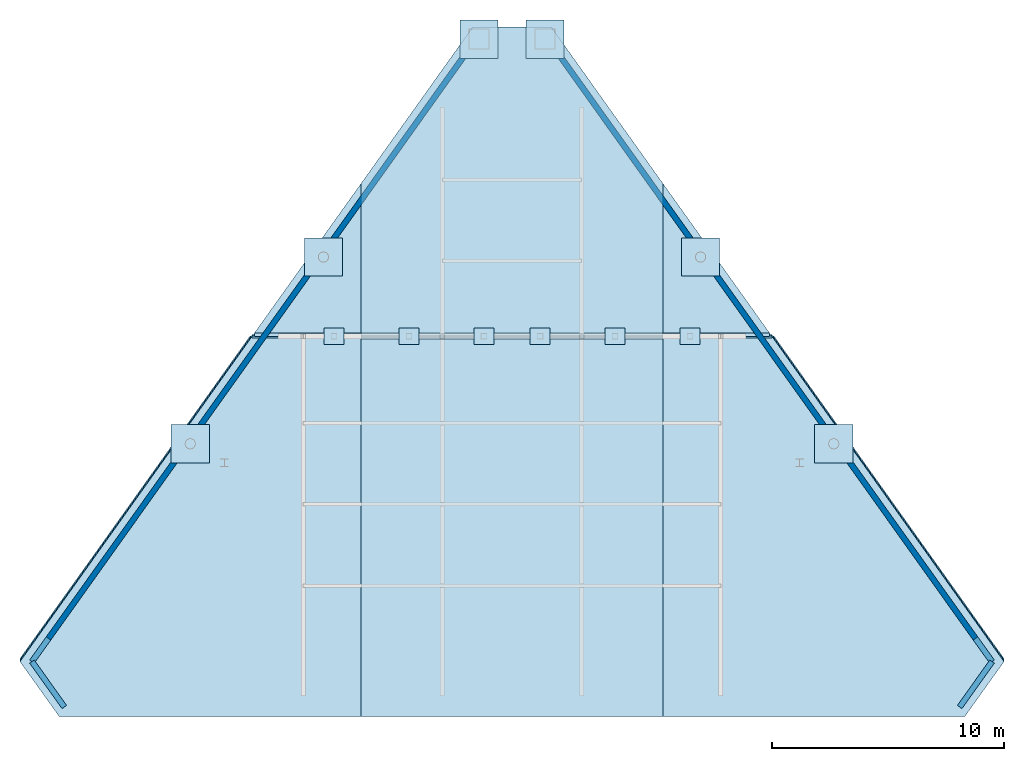
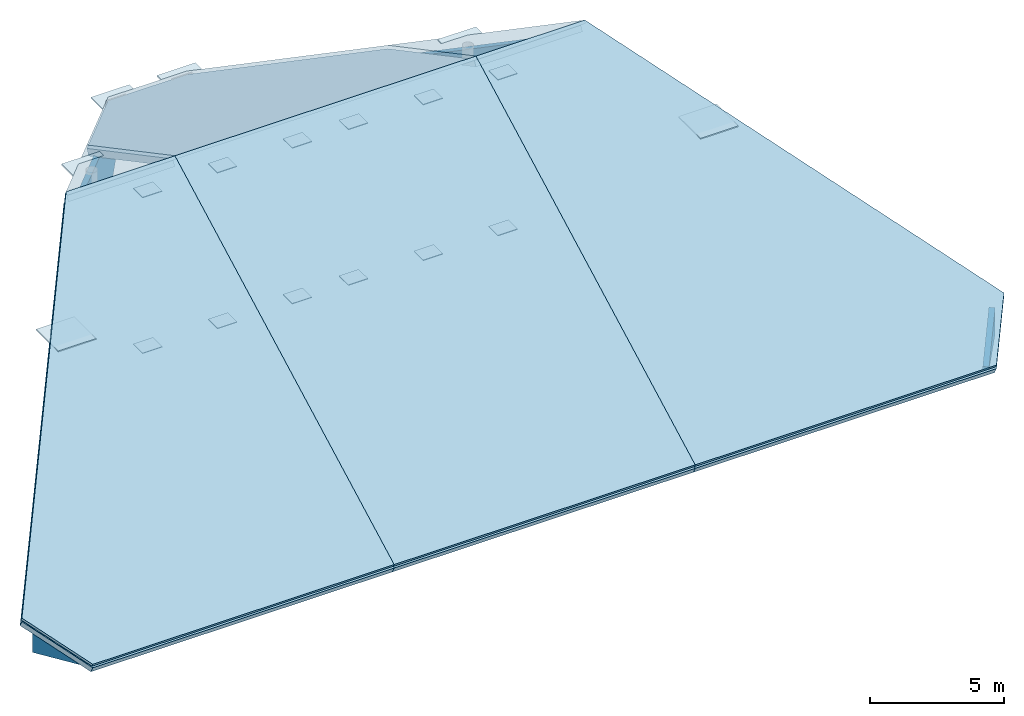
# One storey, part 3 of 3: 18 plates, 6 roofs, 6 slabs, 4 walls.
"""IFC4 building model written with IfcOpenShell, lengths in metres."""

from ifc_helpers import new_model, si_unit, direction, frame, origin, origin_2d, place, context, subcontext, project, spatial, polyline, rectangle, outline, extrude, material, layer, layer_set, type_object, element, save


model = new_model("IFC4")

# Units and contexts
model_context = context("Model", 3, precision=1e-05, world=origin(), true_north=direction((0.0, 1.0)))
body_context = subcontext(model_context, "Body", "Model", "MODEL_VIEW")
ifc_project = project(units=[si_unit("LENGTHUNIT", "METRE"), si_unit("AREAUNIT", "SQUARE_METRE"), si_unit("VOLUMEUNIT", "CUBIC_METRE"), si_unit("PLANEANGLEUNIT", "RADIAN"), si_unit("MASSUNIT", "GRAM", prefix="KILO")], contexts=[model_context])

# Site, building, storey
site_placement = place(None, origin())
site = spatial("IfcSite", under=ifc_project, at=site_placement, CompositionType="ELEMENT")
building_placement = place(site_placement, origin())
building = spatial("IfcBuilding", under=site, at=building_placement, Name="Talgorran Terracotta Tower", CompositionType="ELEMENT")
storey_placement = place(building_placement, frame((0.0, 0.0, 310.199951171875)))
storey = spatial("IfcBuildingStorey", under=building, at=storey_placement, Name="RF", CompositionType="ELEMENT", Elevation=310.199951171875)

# Plates
ifc_material_1 = material(Name="Steel Grade 350 (350L0)", Category="steel")
ifc_layer_1 = layer(ifc_material_1, 0.035888671875, Name="PL_GUS_MN09")
ifc_layer_set_1 = layer_set([ifc_layer_1], Name="Steel Grade 350 (350L0)")
plate_type_1 = type_object("IfcPlateType", Name="PL_GUS_MN09", PredefinedType="SHEET", material=ifc_layer_set_1)
for number, where, z_axis, x_axis, name in (
    (1, (-7.672119140625, 1.25, -0.31787109375), (0.0, 0.0, 1.0), (1.0, 0.0, 0.0), "Crown Strut Base Plate 1"),
    (2, (-7.672119140625, 1.25, 6.79052734375), (0.0, 0.0, 1.0), (1.0, 0.0, 0.0), "Crown Strut Cap Plate 1"),
    (3, (-4.441650390625, 1.25, -0.31787109375), (0.0, 0.0, 1.0), (1.0, 0.0, 0.0), "Crown Strut Base Plate 2"),
    (4, (-4.441650390625, 1.25, 6.79052734375), (0.0, 0.0, 1.0), (1.0, 0.0, 0.0), "Crown Strut Cap Plate 2"),
    (5, (-1.21142578125, 1.25, -0.31787109375), (0.0, 0.0, 1.0), (1.0, 0.0, 0.0), "Crown Strut Base Plate 3"),
    (6, (-1.21142578125, 1.25, 6.79052734375), (0.0, 0.0, 1.0), (1.0, 0.0, 0.0), "Crown Strut Cap Plate 3"),
    (7, (1.21142578125, 1.25, -0.31787109375), (0.0, 0.0, 1.0), (1.0, 0.0, 0.0), "Crown Strut Base Plate 4"),
    (8, (1.21142578125, 1.25, 6.79052734375), (0.0, 0.0, 1.0), (1.0, 0.0, 0.0), "Crown Strut Cap Plate 4"),
    (9, (4.441650390625, 1.25, -0.31787109375), (0.0, 0.0, 1.0), (1.0, 0.0, 0.0), "Crown Strut Base Plate 5"),
    (10, (4.441650390625, 1.25, 6.79052734375), (0.0, 0.0, 1.0), (1.0, 0.0, 0.0), "Crown Strut Cap Plate 5"),
    (11, (7.672119140625, 1.25, -0.31787109375), (0.0, 0.0, 1.0), (1.0, 0.0, 0.0), "Crown Strut Base Plate 6"),
    (12, (7.672119140625, 1.25, 6.79052734375), (0.0, 0.0, 1.0), (1.0, 0.0, 0.0), "Crown Strut Cap Plate 6"),
):
    element("IfcPlate", number, at=place(storey_placement, frame(where, z_axis=z_axis, x_axis=x_axis)), inside=storey, type_object=plate_type_1, Name=name, PredefinedType="SHEET", context=body_context, shape_type="SweptSolid", body=[
        extrude(rectangle(XDim=0.85009765625, YDim=0.699951171875, at=origin_2d()), origin(), (0.0, 0.0, 1.0), 0.035888671875),
    ])
ifc_layer_2 = layer(ifc_material_1, 0.06005859375, Name="PL_NODE_MN01")
ifc_layer_set_2 = layer_set([ifc_layer_2], Name="Steel Grade 350 (350L0)")
plate_type_2 = type_object("IfcPlateType", Name="PL_NODE_MN01", PredefinedType="USERDEFINED", material=ifc_layer_set_2)
for number, where, z_axis, x_axis, name in (
    (13, (1.4267578125, 14.0546875, 0.816650390625), (0.0, 0.0, 1.0), (1.0, 0.0, 0.0), "RF Mega-Column Cap Plate MC5"),
    (14, (-1.4267578125, 14.0546875, 0.816650390625), (0.0, 0.0, 1.0), (1.0, 0.0, 0.0), "RF Mega-Column Cap Plate MC6"),
    (15, (13.86767578125, -3.384521484375, 5.160888671875), (0.0, 0.0, 1.0), (1.0, 0.0, 0.0), "RF Facet Column Cap Plate FC3"),
    (16, (8.125732421875, 4.664306640625, 5.8095703125), (0.0, 0.0, 1.0), (1.0, 0.0, 0.0), "RF Facet Column Cap Plate FC4"),
    (17, (-8.125732421875, 4.664306640625, 5.8095703125), (0.0, 0.0, 1.0), (1.0, 0.0, 0.0), "RF Facet Column Cap Plate FC5"),
    (18, (-13.86767578125, -3.384521484375, 5.160888671875), (0.0, 0.0, 1.0), (1.0, 0.0, 0.0), "RF Facet Column Cap Plate FC6"),
):
    element("IfcPlate", number, at=place(storey_placement, frame(where, z_axis=z_axis, x_axis=x_axis)), inside=storey, type_object=plate_type_2, Name=name, ObjectType="NODE PLATE", PredefinedType="USERDEFINED", context=body_context, shape_type="SweptSolid", body=[
        extrude(rectangle(XDim=1.64990234375, YDim=1.64990234375, at=origin_2d()), origin(), (0.0, 0.0, 1.0), 0.06005859375),
    ])

# Slabs
ifc_material_2 = material(Name="Concrete C50/60", Category="concrete")
ifc_layer_3 = layer(ifc_material_2, 0.300048828125, Name="SL_CROWN_300")
ifc_layer_set_3 = layer_set([ifc_layer_3], Name="Concrete C50/60")
slab_type = type_object("IfcSlabType", Name="SL_CROWN_300", PredefinedType="ROOF", material=ifc_layer_set_3)
slab_1_placement = place(storey_placement, frame((-11.100341796875, 1.389892578125, 7.7255859375), z_axis=(0.0, 0.469456632214, 0.882955531423), x_axis=(1.0, 0.0, 0.0)))
element("IfcSlab", 19, at=slab_1_placement, inside=storey, type_object=slab_type, Name="Sloped Crown Roof Slab Facet N1", PredefinedType="ROOF", context=body_context, shape_type="SweptSolid", body=[
    extrude(outline(polyline([(0.0, 0.0), (4.600341796875, 0.0), (4.600341796875, 7.303573327592236), (0.0, 0.0)])), origin(), (0.0, 0.0, -1.0), 0.300048828125),
])
slab_2_placement = place(storey_placement, frame((-6.5, 7.838623046875, 4.296875), z_axis=(0.0, 0.469458648212, 0.882954459539), x_axis=(0.0, -0.882954459539, 0.469458648212)))
element("IfcSlab", 20, at=slab_2_placement, inside=storey, type_object=slab_type, Name="Sloped Crown Roof Slab Facet N2", PredefinedType="ROOF", context=body_context, shape_type="SweptSolid", body=[
    extrude(outline(polyline([(0.0, 0.0), (7.303573327573198, 0.0), (7.303573327573198, 12.999999999999996), (0.0, 12.999999999999996), (-7.629041714452484, 8.194580078124998), (-7.629041714452484, 4.805419921874999), (0.0, 0.0)])), origin(), (0.0, 0.0, -1.0), 0.300048828125),
])
slab_3_placement = place(storey_placement, frame((6.5, 7.838623046875, 4.296875), z_axis=(0.0, 0.469456632214, 0.882955531423), x_axis=(0.0, -0.882955531423, 0.469456632214)))
element("IfcSlab", 21, at=slab_3_placement, inside=storey, type_object=slab_type, Name="Sloped Crown Roof Slab Facet N3", PredefinedType="ROOF", context=body_context, shape_type="SweptSolid", body=[
    extrude(outline(polyline([(0.0, 0.0), (7.303573327592235, 0.0), (7.303573327592235, 4.600341796875), (0.0, 0.0)])), origin(), (0.0, 0.0, -1.0), 0.300048828125),
])
slab_4_placement = place(storey_placement, frame((-6.5, -15.14990234375, -0.919921875), z_axis=(5.66667e-07, -0.469467859889, 0.882949561714), x_axis=(0.0, 0.882949561714, 0.469467859889)))
element("IfcSlab", 22, at=slab_4_placement, inside=storey, type_object=slab_type, Name="Sloped Crown Roof Slab Facet S1", PredefinedType="ROOF", context=body_context, shape_type="SweptSolid", body=[
    extrude(outline(polyline([(0.0, 0.0), (18.4155565464147, 0.0), (18.41555654641401, 4.800292968749229), (2.6901302551548625, 14.705322265629288), (-1.862689945270187e-12, 13.010742187497911), (0.0, 0.0)])), origin(), (0.0, 0.0, -1.0), 0.300048828125),
])
slab_5_placement = place(storey_placement, frame((6.5, -15.14990234375, -0.919921875), z_axis=(0.0, -0.469467636816, 0.882949680323), x_axis=(0.0, 0.882949680323, 0.469467636816)))
element("IfcSlab", 23, at=slab_5_placement, inside=storey, type_object=slab_type, Name="Sloped Crown Roof Slab Facet S2", PredefinedType="ROOF", context=body_context, shape_type="SweptSolid", body=[
    extrude(outline(polyline([(0.0, 0.0), (18.41555654641529, 0.0), (18.41555654641529, 13.0), (0.0, 13.0), (0.0, 0.0)])), origin(), (0.0, 0.0, -1.0), 0.300048828125),
])
slab_6_placement = place(storey_placement, frame((11.30029296875, 1.110107421875, 7.7255859375), z_axis=(-5.66667e-07, -0.469467859889, 0.882949561714), x_axis=(-1.0, 2.66032e-07, -5.00339e-07)))
element("IfcSlab", 24, at=slab_6_placement, inside=storey, type_object=slab_type, Name="Sloped Crown Roof Slab Facet S3", PredefinedType="ROOF", context=body_context, shape_type="SweptSolid", body=[
    extrude(outline(polyline([(0.0, 0.0), (4.800292968749229, 0.0), (4.800292968746592, 18.4155565464147), (-8.210449218751318, 18.4155565464147), (-9.90502929688231, 15.725426291257731), (0.0, 0.0)])), origin(), (0.0, 0.0, -1.0), 0.300048828125),
])

# Walls
ifc_material_3 = material(Name="Concrete C40/50", Category="concrete")
ifc_layer_4 = layer(ifc_material_3, 0.300048828125, Name="WT_PORTAL_PRECAST")
ifc_layer_set_4 = layer_set([ifc_layer_4], Name="Concrete C40/50")
wall_type = type_object("IfcWallType", Name="WT_PORTAL_PRECAST", PredefinedType="SOLIDWALL", material=ifc_layer_set_4)
wall_1_placement = place(storey_placement, frame((-20.689453125, -12.774658203125, -1.16650390625), z_axis=(0.0, 0.0, 1.0), x_axis=(0.580786206283, -0.814056129878, 0.0)))
element("IfcWall", 25, at=wall_1_placement, inside=storey, type_object=wall_type, Name="Sloped Crown Gable Parapet Screen Wall 1", PredefinedType="SOLIDWALL", context=body_context, shape_type="SweptSolid", body=[
    extrude(outline(polyline([(0.0, 0.0), (2.40185546875, 0.0), (2.402099609375, 0.150146484375), (0.0, 1.189697265625), (0.0, 0.0)])), frame((0.0, 0.1201171875, 0.0), z_axis=(0.0, -1.0, 0.0), x_axis=(1.0, 0.0, 0.0)), (0.0, 0.0, 1.0), 0.239990234375),
])
wall_2_placement = place(storey_placement, frame((19.29443359375, -14.72998046875, -1.16650390625), z_axis=(0.0, 0.0, 1.0), x_axis=(0.580786206283, 0.814056129878, 0.0)))
element("IfcWall", 26, at=wall_2_placement, inside=storey, type_object=wall_type, Name="Sloped Crown Gable Parapet Screen Wall 3", PredefinedType="SOLIDWALL", context=body_context, shape_type="SweptSolid", body=[
    extrude(outline(polyline([(0.0, 0.0), (2.40185546875, 0.0), (2.402099609375, 1.189697265625), (0.0, 0.150146484375), (0.0, 0.0)])), frame((0.0, 0.1201171875, 0.0), z_axis=(0.0, -1.0, 0.0), x_axis=(1.0, 0.0, 0.0)), (0.0, 0.0, 1.0), 0.239990234375),
])
wall_3_placement = place(storey_placement, frame((20.689453125, -12.774658203125, -0.126708984375), z_axis=(0.0, 0.0, 1.0), x_axis=(-0.580758464698, 0.814075921325, 0.0)))
element("IfcWall", 27, at=wall_3_placement, inside=storey, type_object=wall_type, Name="Sloped Crown Gable Parapet Screen Wall 4", PredefinedType="SOLIDWALL", context=body_context, shape_type="SweptSolid", body=[
    extrude(outline(polyline([(0.0, 0.0), (33.07958984375, 0.0), (33.07958984375, 0.745361328125), (17.2275390625, 7.60693359375), (0.0, 0.14990234375), (0.0, 0.0)])), frame((0.0, 0.1201171875, 0.0), z_axis=(0.0, -1.0, 0.0), x_axis=(1.0, 0.0, 0.0)), (0.0, 0.0, 1.0), 0.239990234375),
])
wall_4_placement = place(storey_placement, frame((-1.478271484375, 14.154541015625, -0.126708984375), z_axis=(0.0, 0.0, 1.0), x_axis=(-0.580758464698, -0.814075921325, 0.0)))
element("IfcWall", 28, at=wall_4_placement, inside=storey, type_object=wall_type, Name="Sloped Crown Gable Parapet Screen Wall 6", PredefinedType="SOLIDWALL", context=body_context, shape_type="SweptSolid", body=[
    extrude(outline(polyline([(0.0, 0.0), (33.07958984375, 0.0), (33.07958984375, 0.14990234375), (15.851806640625, 7.60693359375), (0.0, 0.745361328125), (0.0, 0.0)])), frame((0.0, 0.1201171875, 0.0), z_axis=(0.0, -1.0, 0.0), x_axis=(1.0, 0.0, 0.0)), (0.0, 0.0, 1.0), 0.239990234375),
])

# Roofs
ifc_material_4 = material(Name="Standing-Seam Terracotta Metal Deck", Category="masonry")
ifc_layer_5 = layer(ifc_material_4, 0.139892578125, Name="RF_CROWN_TERRA")
ifc_layer_set_5 = layer_set([ifc_layer_5], Name="Standing-Seam Terracotta Metal Deck")
roof_type = type_object("IfcRoofType", Name="RF_CROWN_TERRA", PredefinedType="SHED_ROOF", material=ifc_layer_set_5)
roof_1_placement = place(storey_placement, frame((-11.2001953125, 1.25, 7.95849609375), z_axis=(0.0, 0.469465379163, 0.882950880722), x_axis=(1.0, 0.0, 0.0)))
element("IfcRoof", 29, at=roof_1_placement, inside=storey, type_object=roof_type, Name="Standing-Seam Terracotta Sloped Crown Roof Facet N1", PredefinedType="SHED_ROOF", context=body_context, shape_type="SweptSolid", body=[
    extrude(outline(polyline([(0.0, 0.0), (4.7001953125, 0.0), (4.7001953125, 7.462049351476601), (0.0, 0.0)])), origin(), (0.0, 0.0, -1.0), 0.139892578125),
])
roof_2_placement = place(storey_placement, frame((-6.5, 7.838623046875, 4.455322265625), z_axis=(0.0, 0.469463941219, 0.882951645276), x_axis=(0.0, -0.882951645276, 0.469463941219)))
element("IfcRoof", 30, at=roof_2_placement, inside=storey, type_object=roof_type, Name="Standing-Seam Terracotta Sloped Crown Roof Facet N2", PredefinedType="SHED_ROOF", context=body_context, shape_type="SweptSolid", body=[
    extrude(outline(polyline([(0.0, 0.0), (7.462049351466707, 0.0), (7.462049351466707, 12.999999999999998), (0.0, 12.999999999999998), (-7.629041714473992, 8.194580078124998), (-7.629041714473992, 4.805419921874999), (0.0, 0.0)])), origin(), (0.0, 0.0, -1.0), 0.139892578125),
])
roof_3_placement = place(storey_placement, frame((6.5, 7.838623046875, 4.455322265625), z_axis=(0.0, 0.469465379163, 0.882950880722), x_axis=(0.0, -0.882950880722, 0.469465379163)))
element("IfcRoof", 31, at=roof_3_placement, inside=storey, type_object=roof_type, Name="Standing-Seam Terracotta Sloped Crown Roof Facet N3", PredefinedType="SHED_ROOF", context=body_context, shape_type="SweptSolid", body=[
    extrude(outline(polyline([(0.0, 0.0), (7.462049351476603, 0.0), (7.462049351476603, 4.7001953125), (0.0, 0.0)])), origin(), (0.0, 0.0, -1.0), 0.139892578125),
])
roof_4_placement = place(storey_placement, frame((-6.5, -15.14990234375, -0.761474609375), z_axis=(1.0523254e-05, -0.469475214202, 0.882945651294), x_axis=(5e-11, 0.882945651343, 0.469475214228)))
element("IfcRoof", 32, at=roof_4_placement, inside=storey, type_object=roof_type, Name="Standing-Seam Terracotta Sloped Crown Roof Facet S1", PredefinedType="SHED_ROOF", context=body_context, shape_type="SweptSolid", body=[
    extrude(outline(polyline([(0.0, 0.0), (18.574032570775977, -1.3552527156068805e-20), (18.574032570543093, 4.700195312239752), (2.6902448723993255, 14.705322267093013), (-6.446523263027788e-10, 13.010742186779602), (0.0, 0.0)])), origin(), (0.0, 0.0, -1.0), 0.139892578125),
])
roof_5_placement = place(storey_placement, frame((6.5, -15.14990234375, -0.761474609375), z_axis=(0.0, -0.469471056961, 0.882947861811), x_axis=(0.0, 0.882947861811, 0.469471056961)))
element("IfcRoof", 33, at=roof_5_placement, inside=storey, type_object=roof_type, Name="Standing-Seam Terracotta Sloped Crown Roof Facet S2", PredefinedType="SHED_ROOF", context=body_context, shape_type="SweptSolid", body=[
    extrude(outline(polyline([(0.0, 0.0), (18.57403257098186, 0.0), (18.57403257098186, 13.0), (0.0, 13.0), (0.0, 0.0)])), origin(), (0.0, 0.0, -1.0), 0.139892578125),
])
roof_6_placement = place(storey_placement, frame((11.2001953125, 1.25, 7.95849609375), z_axis=(-1.0523254e-05, -0.469475214202, 0.882945651294), x_axis=(-0.999999999945, 4.940407e-06, -9.291461e-06)))
element("IfcRoof", 34, at=roof_6_placement, inside=storey, type_object=roof_type, Name="Standing-Seam Terracotta Sloped Crown Roof Facet S3", PredefinedType="SHED_ROOF", context=body_context, shape_type="SweptSolid", body=[
    extrude(outline(polyline([(0.0, 0.0), (4.700195312239753, 0.0), (4.700195311319452, 18.57403257077598), (-8.310546875460151, 18.57403257077598), (-10.005126955640266, 15.883787697648039), (0.0, 0.0)])), origin(), (0.0, 0.0, -1.0), 0.139892578125),
])

save(model, "model.ifc")
